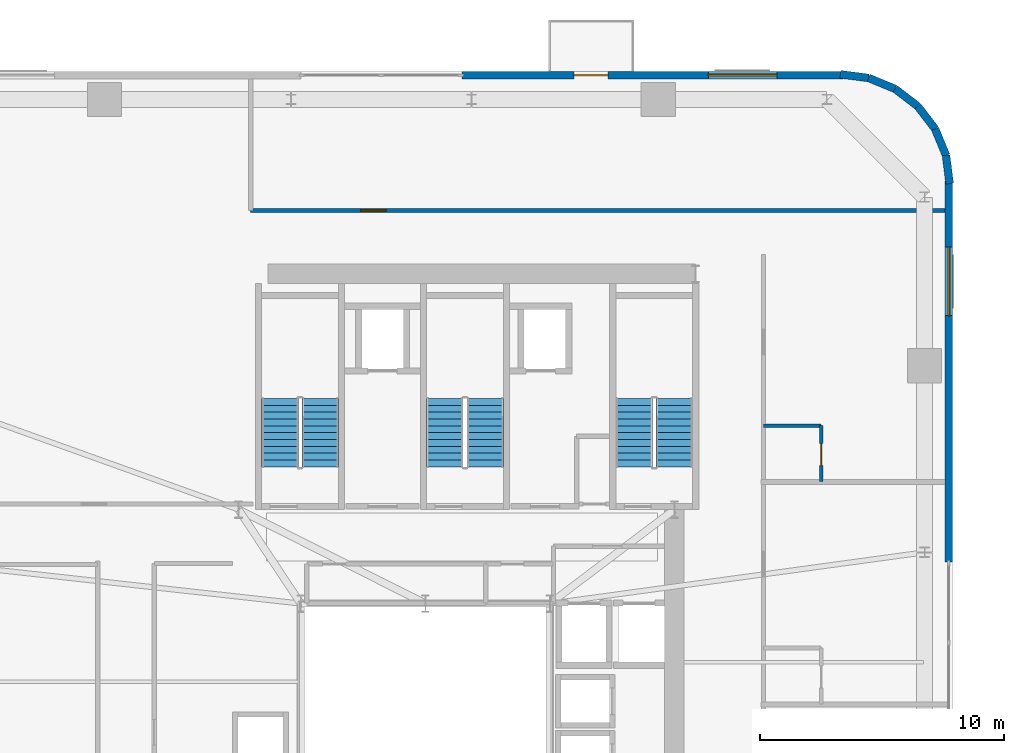
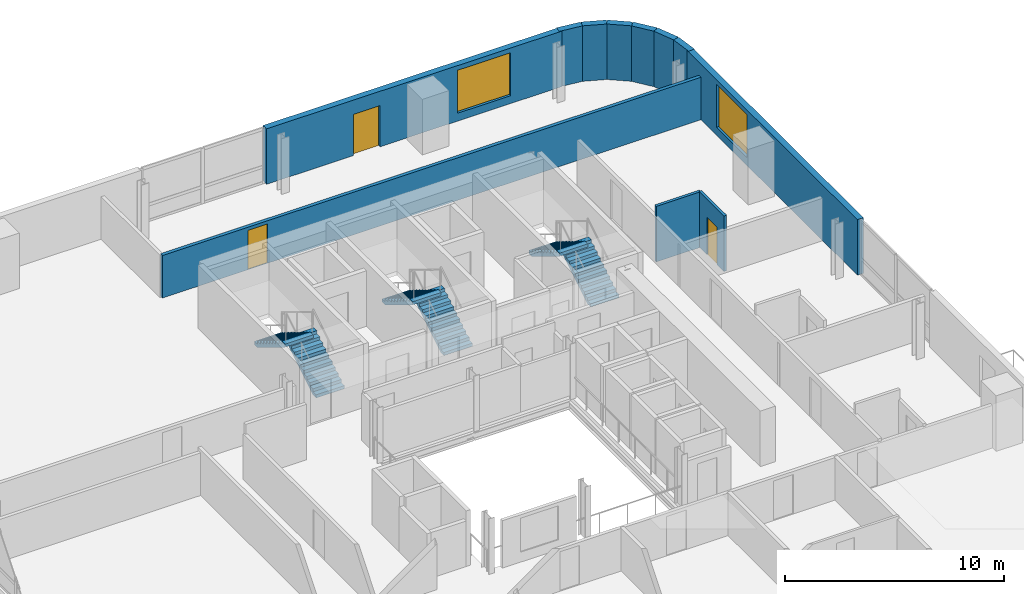
# One storey, part 10 of 13: 11 walls, 6 stair flights, 3 doors, 2 windows, 5 openings, 3 elements without a shape of their own.
"""IFC4 building model written with IfcOpenShell, lengths in metres."""

from ifc_helpers import new_model, si_unit, direction, frame, frame_2d, origin, place, context, subcontext, project, spatial, polyline, rectangle, outline, extrude, source, transform, mapped, material, layer, layer_set, type_object, element, fill, aggregate, save


model = new_model("IFC4")

# Units and contexts
model_context = context("Model", 3, precision=1e-05, world=origin(), true_north=direction((0.0, 1.0)))
body_context = subcontext(model_context, "Body", "Model", "MODEL_VIEW")
ifc_project = project(units=[si_unit("LENGTHUNIT", "METRE"), si_unit("AREAUNIT", "SQUARE_METRE"), si_unit("VOLUMEUNIT", "CUBIC_METRE"), si_unit("PLANEANGLEUNIT", "RADIAN"), si_unit("MASSUNIT", "GRAM", prefix="KILO")], contexts=[model_context])

# Site, building, storey
site_placement = place(None, origin())
site = spatial("IfcSite", under=ifc_project, at=site_placement, CompositionType="ELEMENT")
building_placement = place(site_placement, origin())
building = spatial("IfcBuilding", under=site, at=building_placement, Name="Vardaveli Station Tower", CompositionType="ELEMENT")
storey_placement = place(building_placement, frame((0.0, 0.0, 233.550048828125)))
storey = spatial("IfcBuildingStorey", under=building, at=storey_placement, Name="L60", CompositionType="ELEMENT", Elevation=233.550048828125)

# Wall, openings, door, window
ifc_material_1 = material(Name="Precast concrete C45/55", Category="concrete")
ifc_layer_1 = layer(ifc_material_1, 0.320068359375, Name="Precast concrete C45/55")
ifc_layer_set_1 = layer_set([ifc_layer_1], Name="Precast concrete C45/55")
wall_type_1 = type_object("IfcWallType", Name="WAL-EXT-STONE-320", PredefinedType="SOLIDWALL", material=ifc_layer_set_1)
shared_shape_1 = source(origin(), body_context, "Body", "SweptSolid", [
    extrude(rectangle(XDim=15.599853515625, YDim=0.320068359375, at=frame_2d((7.7998046875, 0.0))), origin(), (0.0, 0.0, 1.0), 3.099853515625),
])
wall_1_placement = place(storey_placement, frame((53.39990234375, 48.43994140625, 0.0), z_axis=(0.0, 0.0, 1.0), x_axis=(-1.0, 0.0, 0.0)))
wall_1 = element("IfcWall", 1, at=wall_1_placement, inside=storey, type_object=wall_type_1, Name="EW-L60-N1", PredefinedType="SOLIDWALL", context=body_context, shape_type="MappedRepresentation", body=[
    mapped(shared_shape_1, transform((0.0, 0.0, 0.0), scale=1.0)),
])
shared_shape_2 = source(origin(), body_context, "Body", "SweptSolid", [
    extrude(rectangle(XDim=1.39990234375, YDim=2.300048828125, at=frame_2d((0.699951171875, 1.14990234375))), frame((0.0, 0.169921875, 0.0), z_axis=(0.0, -1.0, 0.0), x_axis=(1.0, 0.0, 0.0)), (0.0, 0.0, 1.0), 0.340087890625),
])
opening_1_placement = place(wall_1_placement, frame((9.6103515625, 0.0, 0.0)))
opening_1 = element("IfcOpeningElement", 2, at=opening_1_placement, cuts=wall_1, Name="Opening D-09", PredefinedType="OPENING", context=body_context, shape_type="MappedRepresentation", body=[
    mapped(shared_shape_2, transform((0.0, 0.0, 0.0), scale=1.0)),
])
shared_shape_3 = source(origin(), body_context, "Body", "SweptSolid", [
    extrude(rectangle(XDim=2.800048828125, YDim=2.39990234375, at=frame_2d((1.39990234375, 1.199951171875))), frame((0.0, 0.169921875, 0.0), z_axis=(0.0, -1.0, 0.0), x_axis=(1.0, 0.0, 0.0)), (0.0, 0.0, 1.0), 0.340087890625),
])
opening_2_placement = place(wall_1_placement, frame((2.705078125, 0.0, 0.43994140625)))
opening_2 = element("IfcOpeningElement", 3, at=opening_2_placement, cuts=wall_1, Name="Opening W-04", PredefinedType="OPENING", context=body_context, shape_type="MappedRepresentation", body=[
    mapped(shared_shape_3, transform((0.0, 0.0, 0.0), scale=1.0)),
])
ifc_material_2 = material(Name="Thermally broken aluminium glass", Category="aluminium")
door_type_1 = type_object("IfcDoorType", Name="DR-LOG-1400x2300", OperationType="DOUBLE_DOOR_SLIDING", PredefinedType="DOOR", material=ifc_material_2)
shared_shape_4 = source(origin(), body_context, "Body", "SweptSolid", [
    extrude(rectangle(XDim=1.39990234375, YDim=2.300048828125, at=frame_2d((0.699951171875, 1.14990234375))), frame((0.0, 0.02490234375, 0.0), z_axis=(0.0, -1.0, 0.0), x_axis=(1.0, 0.0, 0.0)), (0.0, 0.0, 1.0), 0.050048828125),
])
door_1_placement = place(opening_1_placement, frame((1.39990234375, 0.0, 0.0), z_axis=(0.0, 0.0, 1.0), x_axis=(-1.0, 0.0, 0.0)))
door_1 = element("IfcDoor", 4, at=door_1_placement, inside=storey, type_object=door_type_1, Name="DLG-L60-N", OperationType="DOUBLE_DOOR_SLIDING", OverallHeight=2.300048828125, OverallWidth=1.39990234375, PredefinedType="DOOR", context=body_context, shape_type="MappedRepresentation", body=[
    mapped(shared_shape_4, transform((0.0, 0.0, 0.0), scale=1.0)),
])
fill(opening_1, door_1)
ifc_material_3 = material(Name="Low-E solar-control glass", Category="glass")
window_type = type_object("IfcWindowType", Name="WIN-SUITE-2800x2400", PartitioningType="SINGLE_PANEL", PredefinedType="WINDOW", material=ifc_material_3)
shared_shape_5 = source(origin(), body_context, "Body", "SweptSolid", [
    extrude(rectangle(XDim=2.800048828125, YDim=2.39990234375, at=frame_2d((1.39990234375, 1.199951171875))), frame((0.0, 0.030029296875, 0.0), z_axis=(0.0, -1.0, 0.0), x_axis=(1.0, 0.0, 0.0)), (0.0, 0.0, 1.0), 0.06005859375),
])
window_1_placement = place(opening_2_placement, origin())
window_1 = element("IfcWindow", 5, at=window_1_placement, inside=storey, type_object=window_type, Name="WN-L60-N1", OverallHeight=2.39990234375, OverallWidth=2.800048828125, PartitioningType="SINGLE_PANEL", PredefinedType="WINDOW", context=body_context, shape_type="MappedRepresentation", body=[
    mapped(shared_shape_5, transform((0.0, 0.0, 0.0), scale=1.0)),
])
fill(opening_2, window_1)

# Wall, opening, window
shared_shape_6 = source(origin(), body_context, "Body", "SweptSolid", [
    extrude(rectangle(XDim=15.60009765625, YDim=0.320068359375, at=frame_2d((7.800048828125, 0.0))), origin(), (0.0, 0.0, 1.0), 3.099853515625),
])
wall_2_placement = place(storey_placement, frame((57.739990234375, 28.5, 0.0), z_axis=(0.0, 0.0, 1.0), x_axis=(0.0, 1.0, 0.0)))
wall_2 = element("IfcWall", 6, at=wall_2_placement, inside=storey, type_object=wall_type_1, Name="EW-L60-E2", PredefinedType="SOLIDWALL", context=body_context, shape_type="MappedRepresentation", body=[
    mapped(shared_shape_6, transform((0.0, 0.0, 0.0), scale=1.0)),
])
opening_3_placement = place(wall_2_placement, frame((10.094970703125, 0.0, 0.43994140625)))
opening_3 = element("IfcOpeningElement", 7, at=opening_3_placement, cuts=wall_2, Name="Opening W-04", PredefinedType="OPENING", context=body_context, shape_type="MappedRepresentation", body=[
    mapped(shared_shape_3, transform((0.0, 0.0, 0.0), scale=1.0)),
])
window_2_placement = place(opening_3_placement, origin())
window_2 = element("IfcWindow", 8, at=window_2_placement, inside=storey, type_object=window_type, Name="WN-L60-E2", OverallHeight=2.39990234375, OverallWidth=2.800048828125, PartitioningType="SINGLE_PANEL", PredefinedType="WINDOW", context=body_context, shape_type="MappedRepresentation", body=[
    mapped(shared_shape_5, transform((0.0, 0.0, 0.0), scale=1.0)),
])
fill(opening_3, window_2)

# Walls
shared_shape_7 = source(origin(), body_context, "Body", "SweptSolid", [
    extrude(rectangle(XDim=1.1689453125, YDim=0.320068359375, at=frame_2d((0.58447265625, 0.0))), origin(), (0.0, 0.0, 1.0), 3.099853515625),
])
wall_3_placement = place(storey_placement, frame((57.179931640625, 46.2412109375, 0.0), z_axis=(0.0, 0.0, 1.0), x_axis=(-0.608387696831, 0.793639975269, 0.0)))
element("IfcWall", 9, at=wall_3_placement, inside=storey, type_object=wall_type_1, Name="EW-L60-CR3-3", PredefinedType="SOLIDWALL", context=body_context, shape_type="MappedRepresentation", body=[
    mapped(shared_shape_7, transform((0.0, 0.0, 0.0), scale=1.0)),
])
shared_shape_8 = source(origin(), body_context, "Body", "SweptSolid", [
    extrude(rectangle(XDim=1.168701171875, YDim=0.320068359375, at=frame_2d((0.58447265625, 0.0))), origin(), (0.0, 0.0, 1.0), 3.099853515625),
])
wall_4_placement = place(storey_placement, frame((56.46875, 47.1689453125, 0.0), z_axis=(0.0, 0.0, 1.0), x_axis=(-0.793663520347, 0.608356981114, 0.0)))
element("IfcWall", 10, at=wall_4_placement, inside=storey, type_object=wall_type_1, Name="EW-L60-CR3-4", PredefinedType="SOLIDWALL", context=body_context, shape_type="MappedRepresentation", body=[
    mapped(shared_shape_8, transform((0.0, 0.0, 0.0), scale=1.0)),
])
shared_shape_9 = source(origin(), body_context, "Body", "SweptSolid", [
    extrude(rectangle(XDim=1.17041015625, YDim=0.320068359375, at=frame_2d((0.585205078125, 0.0))), origin(), (0.0, 0.0, 1.0), 3.099853515625),
])
for number, where, z_axis, x_axis, name in (
    (11, (57.775634765625, 43.99951171875, 0.0), (0.0, 0.0, 1.0), (-0.128295670475, 0.991735963317, 0.0), "EW-L60-CR3-1"),
    (12, (54.460205078125, 48.325439453125, 0.0), (0.0, 0.0, 1.0), (-0.991735963317, 0.128295670475, 0.0), "EW-L60-CR3-6"),
):
    element("IfcWall", number, at=place(storey_placement, frame(where, z_axis=z_axis, x_axis=x_axis)), inside=storey, type_object=wall_type_1, Name=name, PredefinedType="SOLIDWALL", context=body_context, shape_type="MappedRepresentation", body=[
        mapped(shared_shape_9, transform((0.0, 0.0, 0.0), scale=1.0)),
    ])
shared_shape_10 = source(origin(), body_context, "Body", "SweptSolid", [
    extrude(rectangle(XDim=1.169189453125, YDim=0.320068359375, at=frame_2d((0.58447265625, 0.0))), origin(), (0.0, 0.0, 1.0), 3.099853515625),
])
for number, where, z_axis, x_axis, name in (
    (13, (57.62548828125, 45.16015625, 0.0), (0.0, 0.0, 1.0), (-0.381054331552, 0.924552646638, 0.0), "EW-L60-CR3-2"),
    (14, (55.541259765625, 47.8798828125, 0.0), (0.0, 0.0, 1.0), (-0.924552646638, 0.381054331552, 0.0), "EW-L60-CR3-5"),
):
    element("IfcWall", number, at=place(storey_placement, frame(where, z_axis=z_axis, x_axis=x_axis)), inside=storey, type_object=wall_type_1, Name=name, PredefinedType="SOLIDWALL", context=body_context, shape_type="MappedRepresentation", body=[
        mapped(shared_shape_10, transform((0.0, 0.0, 0.0), scale=1.0)),
    ])

# Wall, opening, door
ifc_material_4 = material(Name="Fire-rated gypsum stud partition")
ifc_layer_2 = layer(ifc_material_4, 0.179931640625, Name="Fire-rated gypsum stud partition")
ifc_layer_set_2 = layer_set([ifc_layer_2], Name="Fire-rated gypsum stud partition")
wall_type_2 = type_object("IfcWallType", Name="WAL-CORR-180", PredefinedType="PARTITIONING", material=ifc_layer_set_2)
shared_shape_11 = source(origin(), body_context, "Body", "SweptSolid", [
    extrude(rectangle(XDim=28.427978515625, YDim=0.179931640625, at=frame_2d((14.2138671875, 0.0))), origin(), (0.0, 0.0, 1.0), 2.3759765625),
])
wall_5_placement = place(storey_placement, frame((29.14990234375, 42.89990234375, 0.0), z_axis=(0.0, 0.0, 1.0), x_axis=(1.0, 0.0, 0.0)))
wall_5 = element("IfcWall", 15, at=wall_5_placement, inside=storey, type_object=wall_type_2, Name="W-L60-NPS", PredefinedType="PARTITIONING", context=body_context, shape_type="MappedRepresentation", body=[
    mapped(shared_shape_11, transform((0.0, 0.0, 0.0), scale=1.0)),
])
shared_shape_12 = source(origin(), body_context, "Body", "SweptSolid", [
    extrude(rectangle(XDim=1.050048828125, YDim=2.199951171875, at=frame_2d((0.52490234375, 1.10009765625))), frame((0.0, 0.10009765625, 0.0), z_axis=(0.0, -1.0, 0.0), x_axis=(1.0, 0.0, 0.0)), (0.0, 0.0, 1.0), 0.199951171875),
])
opening_4_placement = place(wall_5_placement, frame((4.5, 0.0, 0.0)))
opening_4 = element("IfcOpeningElement", 16, at=opening_4_placement, cuts=wall_5, Name="Opening D-05", PredefinedType="OPENING", context=body_context, shape_type="MappedRepresentation", body=[
    mapped(shared_shape_12, transform((0.0, 0.0, 0.0), scale=1.0)),
])
ifc_material_5 = material(Name="Walnut veneer acoustic fire door")
door_type_2 = type_object("IfcDoorType", Name="DR-SUITE-1050x2200", OperationType="NOTDEFINED", PredefinedType="DOOR", material=ifc_material_5)
shared_shape_13 = source(origin(), body_context, "Body", "SweptSolid", [
    extrude(rectangle(XDim=1.050048828125, YDim=2.199951171875, at=frame_2d((0.52490234375, 1.10009765625))), frame((0.0, 0.02490234375, 0.0), z_axis=(0.0, -1.0, 0.0), x_axis=(1.0, 0.0, 0.0)), (0.0, 0.0, 1.0), 0.050048828125),
])
door_2_placement = place(opening_4_placement, origin())
door_2 = element("IfcDoor", 17, at=door_2_placement, inside=storey, type_object=door_type_2, Name="D-L60-NP1", OperationType="SINGLE_SWING_LEFT", OverallHeight=2.199951171875, OverallWidth=1.050048828125, PredefinedType="DOOR", context=body_context, shape_type="MappedRepresentation", body=[
    mapped(shared_shape_13, transform((0.0, 0.0, 0.0), scale=1.0)),
])
fill(opening_4, door_2)

ifc_material_6 = material(Name="Moisture-resistant stud partition")
ifc_layer_3 = layer(ifc_material_6, 0.14990234375, Name="Moisture-resistant stud partition")
ifc_layer_set_3 = layer_set([ifc_layer_3], Name="Moisture-resistant stud partition")
wall_type_3 = type_object("IfcWallType", Name="WAL-WET-150", PredefinedType="PARTITIONING", material=ifc_layer_set_3)
shared_shape_14 = source(origin(), body_context, "Body", "SweptSolid", [
    extrude(rectangle(XDim=2.289794921875, YDim=0.14990234375, at=frame_2d((1.14501953125, 0.0))), origin(), (0.0, 0.0, 1.0), 3.099853515625),
])
wall_6_placement = place(storey_placement, frame((52.510009765625, 31.797119140625, 0.0), z_axis=(0.0, 0.0, 1.0), x_axis=(0.0, 1.0, 0.0)))
wall_6 = element("IfcWall", 18, at=wall_6_placement, inside=storey, type_object=wall_type_3, Name="W-L60-BE3-E", PredefinedType="PARTITIONING", context=body_context, shape_type="MappedRepresentation", body=[
    mapped(shared_shape_14, transform((0.0, 0.0, 0.0), scale=1.0)),
])
shared_shape_15 = source(origin(), body_context, "Body", "SweptSolid", [
    extrude(rectangle(XDim=0.89990234375, YDim=2.10009765625, at=frame_2d((0.449951171875, 1.050048828125))), frame((0.0, 0.0849609375, 0.0), z_axis=(0.0, -1.0, 0.0), x_axis=(1.0, 0.0, 0.0)), (0.0, 0.0, 1.0), 0.169921875),
])
opening_5_placement = place(wall_6_placement, frame((0.64990234375, 0.0, 0.0)))
opening_5 = element("IfcOpeningElement", 19, at=opening_5_placement, cuts=wall_6, Name="Opening D-08", PredefinedType="OPENING", context=body_context, shape_type="MappedRepresentation", body=[
    mapped(shared_shape_15, transform((0.0, 0.0, 0.0), scale=1.0)),
])
ifc_material_7 = material(Name="Moisture-resistant oak door")
door_type_3 = type_object("IfcDoorType", Name="DR-BATH-900x2100", OperationType="NOTDEFINED", PredefinedType="DOOR", material=ifc_material_7)
shared_shape_16 = source(origin(), body_context, "Body", "SweptSolid", [
    extrude(rectangle(XDim=0.89990234375, YDim=2.10009765625, at=frame_2d((0.449951171875, 1.050048828125))), frame((0.0, 0.02490234375, 0.0), z_axis=(0.0, -1.0, 0.0), x_axis=(1.0, 0.0, 0.0)), (0.0, 0.0, 1.0), 0.050048828125),
])
door_3_placement = place(opening_5_placement, origin())
door_3 = element("IfcDoor", 20, at=door_3_placement, inside=storey, type_object=door_type_3, Name="D-L60-BE3", OperationType="SINGLE_SWING_RIGHT", OverallHeight=2.10009765625, OverallWidth=0.89990234375, PredefinedType="DOOR", context=body_context, shape_type="MappedRepresentation", body=[
    mapped(shared_shape_16, transform((0.0, 0.0, 0.0), scale=1.0)),
])
fill(opening_5, door_3)

# Wall
shared_shape_17 = source(origin(), body_context, "Body", "SweptSolid", [
    extrude(rectangle(XDim=2.360107421875, YDim=0.14990234375, at=frame_2d((1.18017578125, 0.0))), origin(), (0.0, 0.0, 1.0), 3.099853515625),
])
wall_7_placement = place(storey_placement, frame((50.14990234375, 34.0869140625, 0.0), z_axis=(0.0, 0.0, 1.0), x_axis=(1.0, 0.0, 0.0)))
element("IfcWall", 21, at=wall_7_placement, inside=storey, type_object=wall_type_3, Name="W-L60-BE3-N", PredefinedType="PARTITIONING", context=body_context, shape_type="MappedRepresentation", body=[
    mapped(shared_shape_17, transform((0.0, 0.0, 0.0), scale=1.0)),
])

# Stair, stair flights
ifc_material_8 = material(Name="Concrete C40/50", Category="concrete")
stair_type = type_object("IfcStairType", Name="STR-CORE-1500", PredefinedType="HALF_TURN_STAIR", material=ifc_material_8)
stair_1_placement = place(storey_placement, origin())
stair_1 = element("IfcStair", 22, at=stair_1_placement, inside=storey, type_object=stair_type, Name="L60 ST-1", PredefinedType="HALF_TURN_STAIR")
stair_flight_type = type_object("IfcStairFlightType", Name="SFL-CORE-1500", PredefinedType="STRAIGHT", material=ifc_material_8)
shared_shape_18 = source(origin(), body_context, "Body", "SweptSolid", [
    extrude(outline(polyline([(0.0, 0.0), (0.0, 0.17041015625), (0.280029296875, 0.17041015625), (0.280029296875, 0.3408203125), (0.56005859375, 0.3408203125), (0.56005859375, 0.511474609375), (0.840087890625, 0.511474609375), (0.840087890625, 0.681884765625), (1.1201171875, 0.681884765625), (1.1201171875, 0.852294921875), (1.39990234375, 0.852294921875), (1.39990234375, 1.022705078125), (1.679931640625, 1.022705078125), (1.679931640625, 1.193115234375), (1.9599609375, 1.193115234375), (1.9599609375, 1.363525390625), (2.239990234375, 1.363525390625), (2.239990234375, 1.5341796875), (2.52001953125, 1.5341796875), (2.52001953125, 1.70458984375), (2.800048828125, 1.70458984375), (2.800048828125, 1.875), (2.800048828125, 1.529052734375), (0.288330078125, 0.0), (0.0, 0.0)])), frame((0.0, 0.75, 0.0), z_axis=(0.0, -1.0, 0.0), x_axis=(1.0, 0.0, 0.0)), (0.0, 0.0, 1.0), 1.5),
])
stair_flight_1_placement = place(storey_placement, frame((32.0, 32.39990234375, 0.0), z_axis=(0.0, 0.0, 1.0), x_axis=(0.0, 1.0, 0.0)))
stair_flight_1 = element("IfcStairFlight", 23, at=stair_flight_1_placement, type_object=stair_flight_type, Name="ST-1 flight 1", NumberOfRisers=11, NumberOfTreads=10, PredefinedType="STRAIGHT", RiserHeight=0.170454545, TreadLength=0.28, context=body_context, shape_type="MappedRepresentation", body=[
    mapped(shared_shape_18, transform((0.0, 0.0, 0.0), scale=1.0)),
])
stair_flight_2_placement = place(storey_placement, frame((30.35009765625, 35.199951171875, 1.875), z_axis=(0.0, 0.0, 1.0), x_axis=(0.0, -1.0, 0.0)))
stair_flight_2 = element("IfcStairFlight", 24, at=stair_flight_2_placement, type_object=stair_flight_type, Name="ST-1 flight 2", NumberOfRisers=11, NumberOfTreads=10, PredefinedType="STRAIGHT", RiserHeight=0.170454545, TreadLength=0.28, context=body_context, shape_type="MappedRepresentation", body=[
    mapped(shared_shape_18, transform((0.0, 0.0, 0.0), scale=1.0)),
])
aggregate(stair_1, [stair_flight_1, stair_flight_2])

stair_2_placement = place(storey_placement, origin())
stair_2 = element("IfcStair", 25, at=stair_2_placement, inside=storey, type_object=stair_type, Name="L60 ST-2", PredefinedType="HALF_TURN_STAIR")
stair_flight_3_placement = place(storey_placement, frame((38.75, 32.39990234375, 0.0), z_axis=(0.0, 0.0, 1.0), x_axis=(0.0, 1.0, 0.0)))
stair_flight_3 = element("IfcStairFlight", 26, at=stair_flight_3_placement, type_object=stair_flight_type, Name="ST-2 flight 1", NumberOfRisers=11, NumberOfTreads=10, PredefinedType="STRAIGHT", RiserHeight=0.170454545, TreadLength=0.28, context=body_context, shape_type="MappedRepresentation", body=[
    mapped(shared_shape_18, transform((0.0, 0.0, 0.0), scale=1.0)),
])
stair_flight_4_placement = place(storey_placement, frame((37.10009765625, 35.199951171875, 1.875), z_axis=(0.0, 0.0, 1.0), x_axis=(0.0, -1.0, 0.0)))
stair_flight_4 = element("IfcStairFlight", 27, at=stair_flight_4_placement, type_object=stair_flight_type, Name="ST-2 flight 2", NumberOfRisers=11, NumberOfTreads=10, PredefinedType="STRAIGHT", RiserHeight=0.170454545, TreadLength=0.28, context=body_context, shape_type="MappedRepresentation", body=[
    mapped(shared_shape_18, transform((0.0, 0.0, 0.0), scale=1.0)),
])
aggregate(stair_2, [stair_flight_3, stair_flight_4])

stair_3_placement = place(storey_placement, origin())
stair_3 = element("IfcStair", 28, at=stair_3_placement, inside=storey, type_object=stair_type, Name="L60 ST-3", PredefinedType="HALF_TURN_STAIR")
stair_flight_5_placement = place(storey_placement, frame((46.5, 32.39990234375, 0.0), z_axis=(0.0, 0.0, 1.0), x_axis=(0.0, 1.0, 0.0)))
stair_flight_5 = element("IfcStairFlight", 29, at=stair_flight_5_placement, type_object=stair_flight_type, Name="ST-3 flight 1", NumberOfRisers=11, NumberOfTreads=10, PredefinedType="STRAIGHT", RiserHeight=0.170454545, TreadLength=0.28, context=body_context, shape_type="MappedRepresentation", body=[
    mapped(shared_shape_18, transform((0.0, 0.0, 0.0), scale=1.0)),
])
stair_flight_6_placement = place(storey_placement, frame((44.85009765625, 35.199951171875, 1.875), z_axis=(0.0, 0.0, 1.0), x_axis=(0.0, -1.0, 0.0)))
stair_flight_6 = element("IfcStairFlight", 30, at=stair_flight_6_placement, type_object=stair_flight_type, Name="ST-3 flight 2", NumberOfRisers=11, NumberOfTreads=10, PredefinedType="STRAIGHT", RiserHeight=0.170454545, TreadLength=0.28, context=body_context, shape_type="MappedRepresentation", body=[
    mapped(shared_shape_18, transform((0.0, 0.0, 0.0), scale=1.0)),
])
aggregate(stair_3, [stair_flight_5, stair_flight_6])

save(model, "model.ifc")
